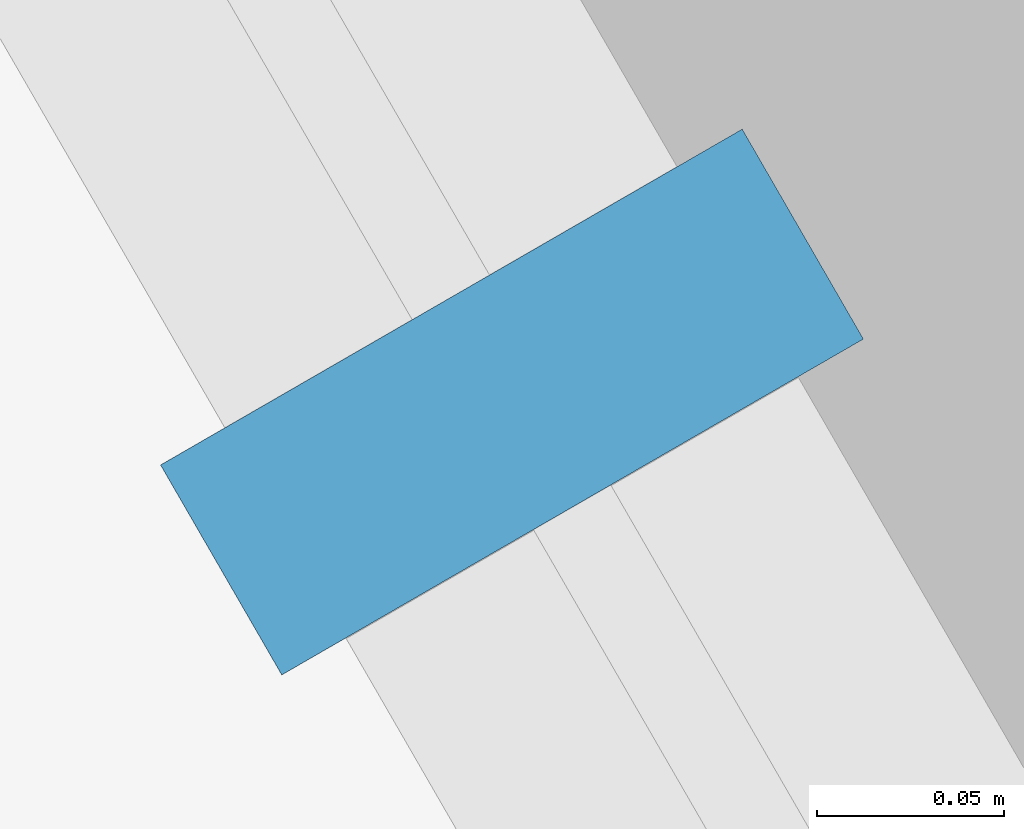
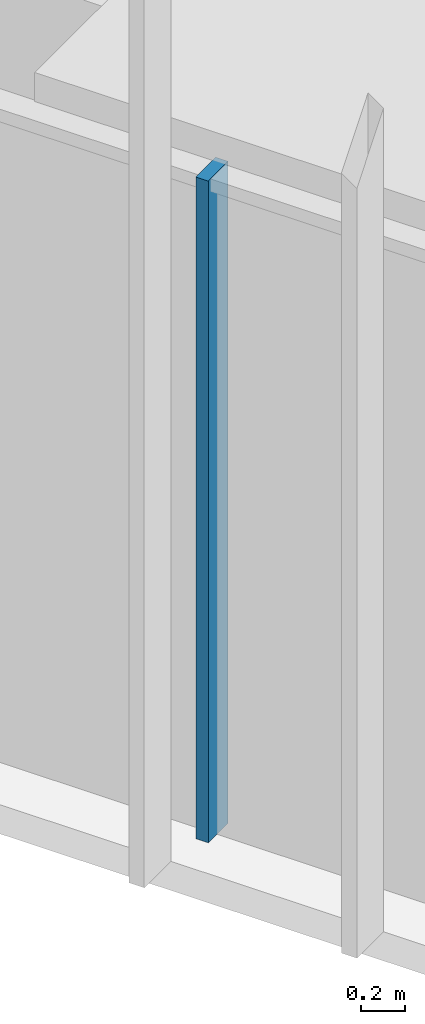
# One storey, part 58 of 256: 1 member, 1 element without a shape of its own.
"""IFC4 building model written with IfcOpenShell, lengths in metres."""

from ifc_helpers import new_model, si_unit, direction, frame, origin, origin_2d, place, context, subcontext, project, spatial, rectangle, extrude, material, material_profile, profile_set, type_object, element, aggregate, save


model = new_model("IFC4")

# Units and contexts
model_context = context("Model", 3, precision=1e-05, world=origin(), true_north=direction((0.0, 1.0)))
body_context = subcontext(model_context, "Body", "Model", "MODEL_VIEW")
ifc_project = project(units=[si_unit("LENGTHUNIT", "METRE"), si_unit("AREAUNIT", "SQUARE_METRE"), si_unit("VOLUMEUNIT", "CUBIC_METRE"), si_unit("PLANEANGLEUNIT", "RADIAN"), si_unit("MASSUNIT", "GRAM", prefix="KILO")], contexts=[model_context])

# Site, building, storey
site_placement = place(None, origin())
site = spatial("IfcSite", under=ifc_project, at=site_placement, CompositionType="ELEMENT")
building_placement = place(site_placement, origin())
building = spatial("IfcBuilding", under=site, at=building_placement, Name="Sandreach Pilgrim Tower", CompositionType="ELEMENT")
storey_placement = place(building_placement, frame((0.0, 0.0, 23.0)))
storey = spatial("IfcBuildingStorey", under=building, at=storey_placement, Name="L04", CompositionType="ELEMENT", Elevation=23.0)

# Curtain wall, member
ifc_material_1 = material(Name="Aluminium framed curtain wall", Category="aluminium")
curtain_wall_type = type_object("IfcCurtainWallType", Name="Hostel tower curtain wall", PredefinedType="NOTDEFINED", material=ifc_material_1)
curtain_wall_placement = place(storey_placement, origin())
curtain_wall = element("IfcCurtainWall", 1, at=curtain_wall_placement, inside=storey, type_object=curtain_wall_type, Name="CW-1 L04 SW", PredefinedType="NOTDEFINED")
ifc_material_2 = material(Name="Aluminium extrusion", Category="aluminium")
ifc_material_profile = material_profile(ifc_material_2, rectangle(XDim=0.06494140625, YDim=0.179931640625, at=origin_2d()), Name="CW-1M 65X180")
ifc_profile_set = profile_set([ifc_material_profile], Name="Aluminium extrusion")
member_type = type_object("IfcMemberType", Name="CW-1 mullion", PredefinedType="MULLION", material=ifc_profile_set)
member_placement = place(storey_placement, frame((-24.018798828125, -6.29541015625, 0.0), z_axis=(0.0, 0.0, 1.0), x_axis=(-0.5, 0.866025403784, 0.0)))
member = element("IfcMember", 2, at=member_placement, type_object=member_type, Name="CW-1 mullion 7", PredefinedType="MULLION", context=body_context, shape_type="SweptSolid", body=[
    extrude(rectangle(XDim=0.06494140625, YDim=0.179931640625, at=origin_2d()), origin(), (0.0, 0.0, 1.0), 3.639892578125),
])
aggregate(curtain_wall, [member])

save(model, "model.ifc")
